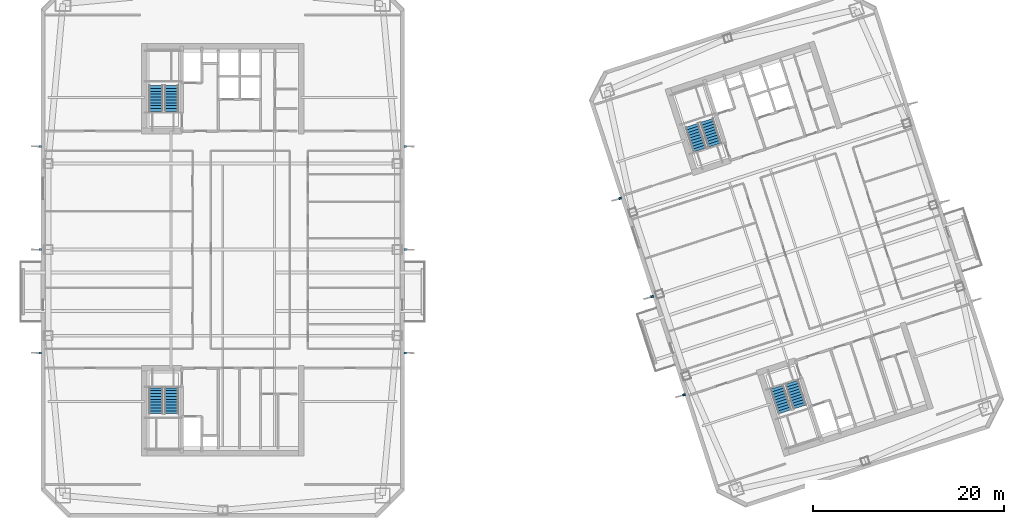
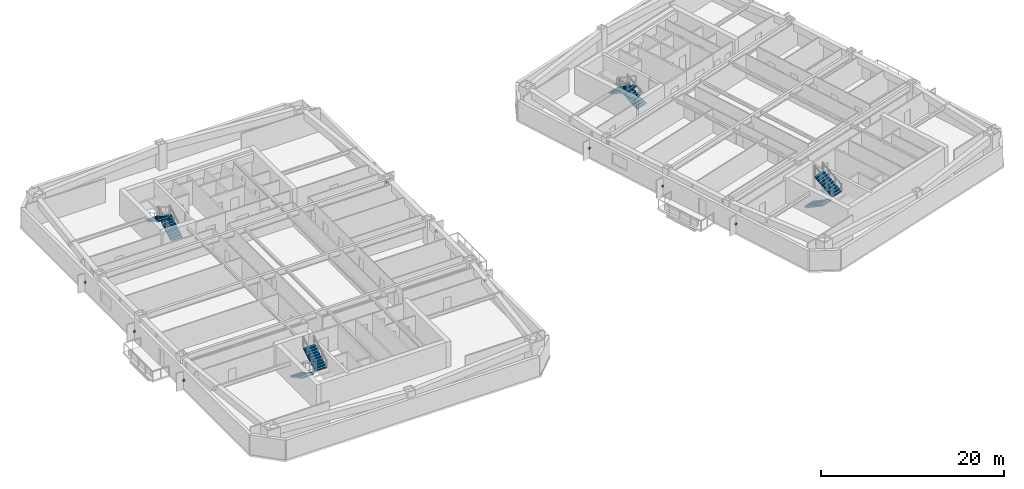
# One storey, part 11 of 17: 9 discrete accessories, 8 stair flights, 4 elements without a shape of their own.
"""IFC4 building model written with IfcOpenShell, lengths in metres."""

from ifc_helpers import new_model, si_unit, direction, frame, origin, origin_2d, place, context, subcontext, project, spatial, polyline, rectangle, outline, extrude, material, type_object, element, aggregate, save


model = new_model("IFC4")

# Units and contexts
model_context = context("Model", 3, precision=1e-05, world=origin(), true_north=direction((0.0, 1.0)))
body_context = subcontext(model_context, "Body", "Model", "MODEL_VIEW")
ifc_project = project(units=[si_unit("LENGTHUNIT", "METRE"), si_unit("AREAUNIT", "SQUARE_METRE"), si_unit("VOLUMEUNIT", "CUBIC_METRE"), si_unit("PLANEANGLEUNIT", "RADIAN"), si_unit("MASSUNIT", "GRAM", prefix="KILO")], contexts=[model_context])

# Site, building, storey
site_placement = place(None, origin())
site = spatial("IfcSite", under=ifc_project, at=site_placement, CompositionType="ELEMENT")
building_placement = place(site_placement, origin())
building = spatial("IfcBuilding", under=site, at=building_placement, Name="Qiaolan Cultural Towers", CompositionType="ELEMENT")
storey_placement = place(building_placement, frame((0.0, 0.0, 152.949951171875)))
storey = spatial("IfcBuildingStorey", under=building, at=storey_placement, Name="L40", CompositionType="ELEMENT", Elevation=152.949951171875)

# Stair, stair flights
ifc_material_1 = material(Name="Concrete C45", Category="concrete")
stair_type = type_object("IfcStairType", Name="STR-CORE-1500", PredefinedType="HALF_TURN_STAIR", material=ifc_material_1)
stair_1_placement = place(storey_placement, origin())
stair_1 = element("IfcStair", 1, at=stair_1_placement, inside=storey, type_object=stair_type, Name="L40 Smokeproof Exit Stair ST-W1", PredefinedType="HALF_TURN_STAIR")
ifc_material_2 = material(Name="Concrete C45", Category="concrete")
stair_flight_type = type_object("IfcStairFlightType", Name="STR-CORE-1500-FL", PredefinedType="STRAIGHT", material=ifc_material_2)
stair_flight_1_placement = place(storey_placement, frame((23.02001953125, 19.550048828125, 0.0), z_axis=(0.0, 0.0, 1.0), x_axis=(0.0, -1.0, 0.0)))
stair_flight_1 = element("IfcStairFlight", 2, at=stair_flight_1_placement, type_object=stair_flight_type, Name="ST-W1 flight 1", NumberOfRisers=10, NumberOfTreads=9, PredefinedType="STRAIGHT", RiserHeight=0.1725, TreadLength=0.3, context=body_context, shape_type="SweptSolid", body=[
    extrude(outline(polyline([(0.0, 0.0), (0.0, 0.172607421875), (0.300048828125, 0.172607421875), (0.300048828125, 0.344970703125), (0.60009765625, 0.344970703125), (0.60009765625, 0.517578125), (0.89990234375, 0.517578125), (0.89990234375, 0.68994140625), (1.199951171875, 0.68994140625), (1.199951171875, 0.862548828125), (1.5, 0.862548828125), (1.5, 1.034912109375), (1.800048828125, 1.034912109375), (1.800048828125, 1.20751953125), (2.10009765625, 1.20751953125), (2.10009765625, 1.3798828125), (2.39990234375, 1.3798828125), (2.39990234375, 1.552490234375), (2.699951171875, 1.552490234375), (2.699951171875, 1.72509765625), (2.699951171875, 1.379638671875), (0.30078125, 0.0), (0.0, 0.0)])), frame((0.0, 0.719970703125, 0.0), z_axis=(0.0, -1.0, 0.0), x_axis=(1.0, 0.0, 0.0)), (0.0, 0.0, 1.0), 1.43994140625),
])
stair_flight_2_placement = place(storey_placement, frame((24.659912109375, 16.85009765625, 1.72509765625), z_axis=(0.0, 0.0, 1.0), x_axis=(0.0, 1.0, 0.0)))
stair_flight_2 = element("IfcStairFlight", 3, at=stair_flight_2_placement, type_object=stair_flight_type, Name="ST-W1 flight 2", NumberOfRisers=10, NumberOfTreads=9, PredefinedType="STRAIGHT", RiserHeight=0.1725, TreadLength=0.3, context=body_context, shape_type="SweptSolid", body=[
    extrude(outline(polyline([(0.0, 0.0), (0.0, 0.172607421875), (0.300048828125, 0.172607421875), (0.300048828125, 0.344970703125), (0.60009765625, 0.344970703125), (0.60009765625, 0.517578125), (0.89990234375, 0.517578125), (0.89990234375, 0.68994140625), (1.199951171875, 0.68994140625), (1.199951171875, 0.862548828125), (1.5, 0.862548828125), (1.5, 1.034912109375), (1.800048828125, 1.034912109375), (1.800048828125, 1.20751953125), (2.10009765625, 1.20751953125), (2.10009765625, 1.3798828125), (2.39990234375, 1.3798828125), (2.39990234375, 1.552490234375), (2.699951171875, 1.552490234375), (2.699951171875, 1.72509765625), (2.699951171875, 1.379638671875), (0.30078125, 0.0), (0.0, 0.0)])), frame((0.0, 0.719970703125, 0.0), z_axis=(0.0, -1.0, 0.0), x_axis=(1.0, 0.0, 0.0)), (0.0, 0.0, 1.0), 1.43994140625),
])
aggregate(stair_1, [stair_flight_1, stair_flight_2])

stair_2_placement = place(storey_placement, origin())
stair_2 = element("IfcStair", 4, at=stair_2_placement, inside=storey, type_object=stair_type, Name="L40 Smokeproof Exit Stair ST-W2", PredefinedType="HALF_TURN_STAIR")
stair_flight_3_placement = place(storey_placement, frame((24.659912109375, 48.449951171875, 0.0), z_axis=(0.0, 0.0, 1.0), x_axis=(0.0, 1.0, 0.0)))
stair_flight_3 = element("IfcStairFlight", 5, at=stair_flight_3_placement, type_object=stair_flight_type, Name="ST-W2 flight 1", NumberOfRisers=10, NumberOfTreads=9, PredefinedType="STRAIGHT", RiserHeight=0.1725, TreadLength=0.3, context=body_context, shape_type="SweptSolid", body=[
    extrude(outline(polyline([(0.0, 0.0), (0.0, 0.172607421875), (0.300048828125, 0.172607421875), (0.300048828125, 0.344970703125), (0.60009765625, 0.344970703125), (0.60009765625, 0.517578125), (0.89990234375, 0.517578125), (0.89990234375, 0.68994140625), (1.199951171875, 0.68994140625), (1.199951171875, 0.862548828125), (1.5, 0.862548828125), (1.5, 1.034912109375), (1.800048828125, 1.034912109375), (1.800048828125, 1.20751953125), (2.10009765625, 1.20751953125), (2.10009765625, 1.3798828125), (2.39990234375, 1.3798828125), (2.39990234375, 1.552490234375), (2.699951171875, 1.552490234375), (2.699951171875, 1.72509765625), (2.699951171875, 1.379638671875), (0.30078125, 0.0), (0.0, 0.0)])), frame((0.0, 0.719970703125, 0.0), z_axis=(0.0, -1.0, 0.0), x_axis=(1.0, 0.0, 0.0)), (0.0, 0.0, 1.0), 1.43994140625),
])
stair_flight_4_placement = place(storey_placement, frame((23.02001953125, 51.14990234375, 1.72509765625), z_axis=(0.0, 0.0, 1.0), x_axis=(0.0, -1.0, 0.0)))
stair_flight_4 = element("IfcStairFlight", 6, at=stair_flight_4_placement, type_object=stair_flight_type, Name="ST-W2 flight 2", NumberOfRisers=10, NumberOfTreads=9, PredefinedType="STRAIGHT", RiserHeight=0.1725, TreadLength=0.3, context=body_context, shape_type="SweptSolid", body=[
    extrude(outline(polyline([(0.0, 0.0), (0.0, 0.172607421875), (0.300048828125, 0.172607421875), (0.300048828125, 0.344970703125), (0.60009765625, 0.344970703125), (0.60009765625, 0.517578125), (0.89990234375, 0.517578125), (0.89990234375, 0.68994140625), (1.199951171875, 0.68994140625), (1.199951171875, 0.862548828125), (1.5, 0.862548828125), (1.5, 1.034912109375), (1.800048828125, 1.034912109375), (1.800048828125, 1.20751953125), (2.10009765625, 1.20751953125), (2.10009765625, 1.3798828125), (2.39990234375, 1.3798828125), (2.39990234375, 1.552490234375), (2.699951171875, 1.552490234375), (2.699951171875, 1.72509765625), (2.699951171875, 1.379638671875), (0.30078125, 0.0), (0.0, 0.0)])), frame((0.0, 0.719970703125, 0.0), z_axis=(0.0, -1.0, 0.0), x_axis=(1.0, 0.0, 0.0)), (0.0, 0.0, 1.0), 1.43994140625),
])
aggregate(stair_2, [stair_flight_3, stair_flight_4])

stair_3_placement = place(storey_placement, origin())
stair_3 = element("IfcStair", 7, at=stair_3_placement, inside=storey, type_object=stair_type, Name="L40 Smokeproof Exit Stair ST-E1", PredefinedType="HALF_TURN_STAIR")
stair_flight_5_placement = place(storey_placement, frame((87.96484375, 19.6171875, 0.0), z_axis=(0.0, 0.0, 1.0), x_axis=(0.309016994375, -0.951056516295, 0.0)))
stair_flight_5 = element("IfcStairFlight", 8, at=stair_flight_5_placement, type_object=stair_flight_type, Name="ST-E1 flight 1", NumberOfRisers=10, NumberOfTreads=9, PredefinedType="STRAIGHT", RiserHeight=0.1725, TreadLength=0.3, context=body_context, shape_type="SweptSolid", body=[
    extrude(outline(polyline([(0.0, 0.0), (0.0, 0.172607421875), (0.300048828125, 0.172607421875), (0.300048828125, 0.344970703125), (0.60009765625, 0.344970703125), (0.60009765625, 0.517578125), (0.89990234375, 0.517578125), (0.89990234375, 0.68994140625), (1.199951171875, 0.68994140625), (1.199951171875, 0.862548828125), (1.5, 0.862548828125), (1.5, 1.034912109375), (1.800048828125, 1.034912109375), (1.800048828125, 1.20751953125), (2.10009765625, 1.20751953125), (2.10009765625, 1.3798828125), (2.39990234375, 1.3798828125), (2.39990234375, 1.552490234375), (2.699951171875, 1.552490234375), (2.699951171875, 1.72509765625), (2.699951171875, 1.379638671875), (0.30078125, 0.0), (0.0, 0.0)])), frame((0.0, 0.719970703125, 0.0), z_axis=(0.0, -1.0, 0.0), x_axis=(1.0, 0.0, 0.0)), (0.0, 0.0, 1.0), 1.43994140625),
])
stair_flight_6_placement = place(storey_placement, frame((90.359130859375, 17.55615234375, 1.72509765625), z_axis=(0.0, 0.0, 1.0), x_axis=(-0.309016994375, 0.951056516295, 0.0)))
stair_flight_6 = element("IfcStairFlight", 9, at=stair_flight_6_placement, type_object=stair_flight_type, Name="ST-E1 flight 2", NumberOfRisers=10, NumberOfTreads=9, PredefinedType="STRAIGHT", RiserHeight=0.1725, TreadLength=0.3, context=body_context, shape_type="SweptSolid", body=[
    extrude(outline(polyline([(0.0, 0.0), (0.0, 0.172607421875), (0.300048828125, 0.172607421875), (0.300048828125, 0.344970703125), (0.60009765625, 0.344970703125), (0.60009765625, 0.517578125), (0.89990234375, 0.517578125), (0.89990234375, 0.68994140625), (1.199951171875, 0.68994140625), (1.199951171875, 0.862548828125), (1.5, 0.862548828125), (1.5, 1.034912109375), (1.800048828125, 1.034912109375), (1.800048828125, 1.20751953125), (2.10009765625, 1.20751953125), (2.10009765625, 1.3798828125), (2.39990234375, 1.3798828125), (2.39990234375, 1.552490234375), (2.699951171875, 1.552490234375), (2.699951171875, 1.72509765625), (2.699951171875, 1.379638671875), (0.30078125, 0.0), (0.0, 0.0)])), frame((0.0, 0.719970703125, 0.0), z_axis=(0.0, -1.0, 0.0), x_axis=(1.0, 0.0, 0.0)), (0.0, 0.0, 1.0), 1.43994140625),
])
aggregate(stair_3, [stair_flight_5, stair_flight_6])

stair_4_placement = place(storey_placement, origin())
stair_4 = element("IfcStair", 10, at=stair_4_placement, inside=storey, type_object=stair_type, Name="L40 Smokeproof Exit Stair ST-E2", PredefinedType="HALF_TURN_STAIR")
stair_flight_7_placement = place(storey_placement, frame((81.459228515625, 44.946533203125, 0.0), z_axis=(0.0, 0.0, 1.0), x_axis=(-0.309016994375, 0.951056516295, 0.0)))
stair_flight_7 = element("IfcStairFlight", 11, at=stair_flight_7_placement, type_object=stair_flight_type, Name="ST-E2 flight 1", NumberOfRisers=10, NumberOfTreads=9, PredefinedType="STRAIGHT", RiserHeight=0.1725, TreadLength=0.3, context=body_context, shape_type="SweptSolid", body=[
    extrude(outline(polyline([(0.0, 0.0), (0.0, 0.172607421875), (0.300048828125, 0.172607421875), (0.300048828125, 0.344970703125), (0.60009765625, 0.344970703125), (0.60009765625, 0.517578125), (0.89990234375, 0.517578125), (0.89990234375, 0.68994140625), (1.199951171875, 0.68994140625), (1.199951171875, 0.862548828125), (1.5, 0.862548828125), (1.5, 1.034912109375), (1.800048828125, 1.034912109375), (1.800048828125, 1.20751953125), (2.10009765625, 1.20751953125), (2.10009765625, 1.3798828125), (2.39990234375, 1.3798828125), (2.39990234375, 1.552490234375), (2.699951171875, 1.552490234375), (2.699951171875, 1.72509765625), (2.699951171875, 1.379638671875), (0.30078125, 0.0), (0.0, 0.0)])), frame((0.0, 0.719970703125, 0.0), z_axis=(0.0, -1.0, 0.0), x_axis=(1.0, 0.0, 0.0)), (0.0, 0.0, 1.0), 1.43994140625),
])
stair_flight_8_placement = place(storey_placement, frame((79.065185546875, 47.007568359375, 1.72509765625), z_axis=(0.0, 0.0, 1.0), x_axis=(0.309016994375, -0.951056516295, 0.0)))
stair_flight_8 = element("IfcStairFlight", 12, at=stair_flight_8_placement, type_object=stair_flight_type, Name="ST-E2 flight 2", NumberOfRisers=10, NumberOfTreads=9, PredefinedType="STRAIGHT", RiserHeight=0.1725, TreadLength=0.3, context=body_context, shape_type="SweptSolid", body=[
    extrude(outline(polyline([(0.0, 0.0), (0.0, 0.172607421875), (0.300048828125, 0.172607421875), (0.300048828125, 0.344970703125), (0.60009765625, 0.344970703125), (0.60009765625, 0.517578125), (0.89990234375, 0.517578125), (0.89990234375, 0.68994140625), (1.199951171875, 0.68994140625), (1.199951171875, 0.862548828125), (1.5, 0.862548828125), (1.5, 1.034912109375), (1.800048828125, 1.034912109375), (1.800048828125, 1.20751953125), (2.10009765625, 1.20751953125), (2.10009765625, 1.3798828125), (2.39990234375, 1.3798828125), (2.39990234375, 1.552490234375), (2.699951171875, 1.552490234375), (2.699951171875, 1.72509765625), (2.699951171875, 1.379638671875), (0.30078125, 0.0), (0.0, 0.0)])), frame((0.0, 0.719970703125, 0.0), z_axis=(0.0, -1.0, 0.0), x_axis=(1.0, 0.0, 0.0)), (0.0, 0.0, 1.0), 1.43994140625),
])
aggregate(stair_4, [stair_flight_7, stair_flight_8])

# Discrete accessories
ifc_material_3 = material(Name="Stainless Steel S31608 Facade Anchor Bracket", Category="steel")
discrete_accessory_type = type_object("IfcDiscreteAccessoryType", Name="ACC-BRK-SS", PredefinedType="BRACKET", material=ifc_material_3)
for number, where, z_axis, x_axis, name in (
    (13, (10.919921875, 23.199951171875, 1.18505859375), (0.0, 0.0, 1.0), (1.0, 0.0, 0.0), "L40 T1 Facade Fin Anchor Bracket W1"),
    (14, (10.919921875, 34.0, 1.18505859375), (0.0, 0.0, 1.0), (1.0, 0.0, 0.0), "L40 T1 Facade Fin Anchor Bracket W2"),
    (15, (10.919921875, 44.800048828125, 1.18505859375), (0.0, 0.0, 1.0), (1.0, 0.0, 0.0), "L40 T1 Facade Fin Anchor Bracket W3"),
    (16, (49.080078125, 23.199951171875, 1.18505859375), (0.0, 0.0, 1.0), (1.0, 0.0, 0.0), "L40 T1 Facade Fin Anchor Bracket E1"),
    (17, (49.080078125, 34.0, 1.18505859375), (0.0, 0.0, 1.0), (1.0, 0.0, 0.0), "L40 T1 Facade Fin Anchor Bracket E2"),
    (18, (49.080078125, 44.800048828125, 1.18505859375), (0.0, 0.0, 1.0), (1.0, 0.0, 0.0), "L40 T1 Facade Fin Anchor Bracket E3"),
    (19, (78.234619140625, 18.8212890625, 1.18505859375), (0.0, 0.0, 1.0), (0.951056516295, 0.309016994375, 0.0), "L40 T2 Facade Fin Anchor Bracket W1"),
    (20, (74.897216796875, 29.0927734375, 1.18505859375), (0.0, 0.0, 1.0), (0.951056516295, 0.309016994375, 0.0), "L40 T2 Facade Fin Anchor Bracket W2"),
    (21, (71.559814453125, 39.3642578125, 1.18505859375), (0.0, 0.0, 1.0), (0.951056516295, 0.309016994375, 0.0), "L40 T2 Facade Fin Anchor Bracket W3"),
):
    element("IfcDiscreteAccessory", number, at=place(storey_placement, frame(where, z_axis=z_axis, x_axis=x_axis)), inside=storey, type_object=discrete_accessory_type, Name=name, PredefinedType="BRACKET", context=body_context, shape_type="SweptSolid", body=[
        extrude(rectangle(XDim=0.280029296875, YDim=0.219970703125, at=origin_2d()), origin(), (0.0, 0.0, 1.0), 0.239990234375),
    ])

save(model, "model.ifc")
